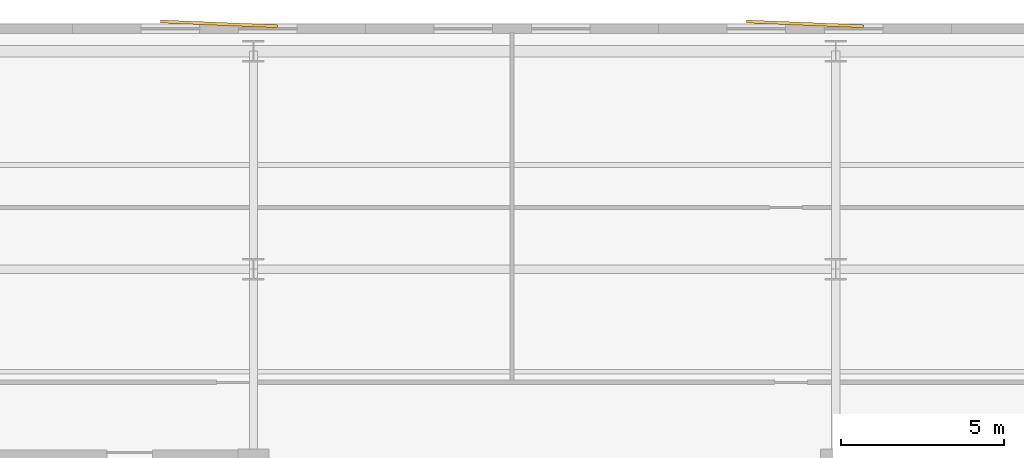
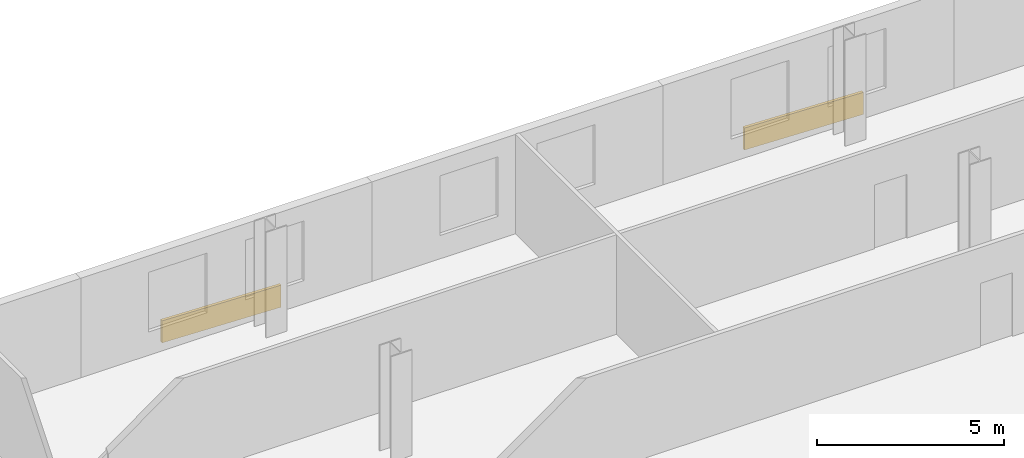
# One storey, part 10 of 10: 2 coverings.
"""IFC4 building model written with IfcOpenShell, lengths in metres."""

from ifc_helpers import new_model, si_unit, direction, frame, origin, origin_2d, place, context, subcontext, project, spatial, rectangle, extrude, material, layer, layer_set, type_object, element, save


model = new_model("IFC4")

# Units and contexts
model_context = context("Model", 3, precision=1e-05, world=origin(), true_north=direction((0.0, 1.0)))
body_context = subcontext(model_context, "Body", "Model", "MODEL_VIEW")
ifc_project = project(units=[si_unit("LENGTHUNIT", "METRE"), si_unit("AREAUNIT", "SQUARE_METRE"), si_unit("VOLUMEUNIT", "CUBIC_METRE"), si_unit("PLANEANGLEUNIT", "RADIAN"), si_unit("MASSUNIT", "GRAM", prefix="KILO")], contexts=[model_context])

# Site, building, storey
site_placement = place(None, origin())
site = spatial("IfcSite", under=ifc_project, at=site_placement, CompositionType="ELEMENT")
building_placement = place(site_placement, origin())
building = spatial("IfcBuilding", under=site, at=building_placement, Name="Velakula Bourse", CompositionType="ELEMENT")
storey_placement = place(building_placement, frame((0.0, 0.0, 141.550048828125)))
storey = spatial("IfcBuildingStorey", under=building, at=storey_placement, Name="L38", CompositionType="ELEMENT", Elevation=141.550048828125)

# Coverings
ifc_material = material(Name="Red kilned clay facing brick masonry", Category="masonry")
ifc_layer = layer(ifc_material, 0.090087890625, Name="Red kilned clay facing brick masonry", Category="masonry")
ifc_layer_set = layer_set([ifc_layer], Name="Red kilned clay facing brick masonry")
covering_type = type_object("IfcCoveringType", Name="COV-BRK-FOLD-90", PredefinedType="CLADDING", material=ifc_layer_set)
for number, where, z_axis, x_axis, name in (
    (1, (-10.0, 22.139892578125, 0.0), (0.0, 0.0, 1.0), (0.999158993058, -0.041003738744, 0.0), "L38 Folded Brick Facade Cladding Panel N-B2"),
    (2, (8.0, 22.139892578125, 0.0), (0.0, 0.0, 1.0), (0.999158993058, -0.041003738744, 0.0), "L38 Folded Brick Facade Cladding Panel N-B4"),
):
    element("IfcCovering", number, at=place(storey_placement, frame(where, z_axis=z_axis, x_axis=x_axis)), inside=storey, type_object=covering_type, Name=name, PredefinedType="CLADDING", context=body_context, shape_type="SweptSolid", body=[
        extrude(rectangle(XDim=3.60009765625, YDim=0.090087890625, at=origin_2d()), origin(), (0.0, 0.0, 1.0), 0.719970703125),
    ])

save(model, "model.ifc")
